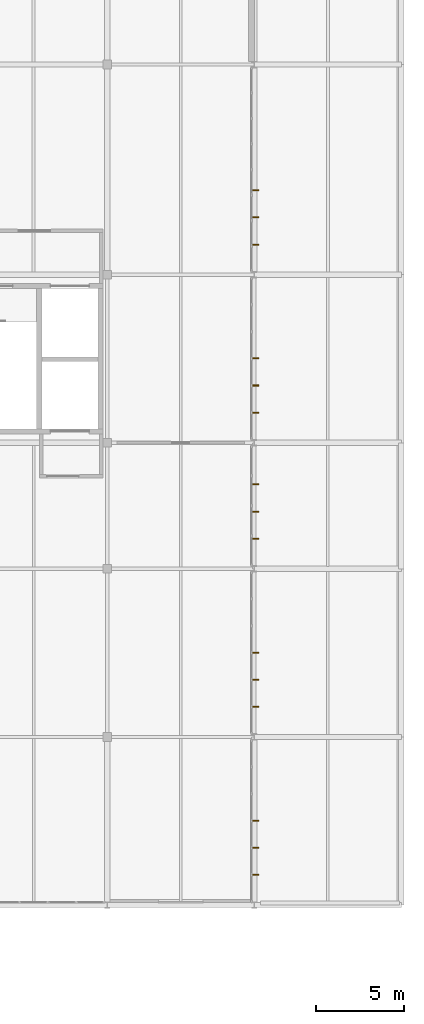
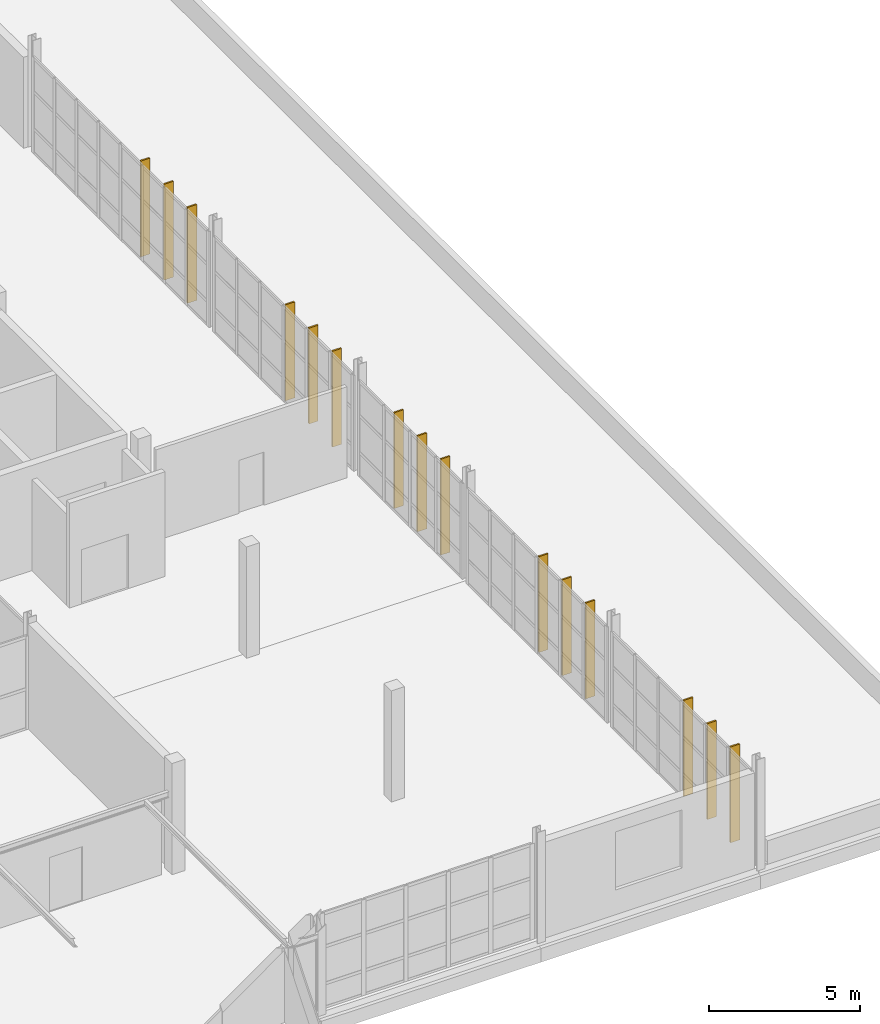
# One storey, part 102 of 103: 15 shading devices.
"""IFC4 building model written with IfcOpenShell, lengths in metres."""

from ifc_helpers import new_model, si_unit, direction, frame, origin, origin_2d, place, context, subcontext, project, spatial, rectangle, extrude, material, type_object, element, save


model = new_model("IFC4")

# Units and contexts
model_context = context("Model", 3, precision=1e-05, world=origin(), true_north=direction((0.0, 1.0)))
body_context = subcontext(model_context, "Body", "Model", "MODEL_VIEW")
ifc_project = project(units=[si_unit("LENGTHUNIT", "METRE"), si_unit("AREAUNIT", "SQUARE_METRE"), si_unit("VOLUMEUNIT", "CUBIC_METRE"), si_unit("PLANEANGLEUNIT", "RADIAN"), si_unit("MASSUNIT", "GRAM", prefix="KILO")], contexts=[model_context])

# Site, building, storey
site_placement = place(None, origin())
site = spatial("IfcSite", under=ifc_project, at=site_placement, CompositionType="ELEMENT")
building_placement = place(site_placement, origin())
building = spatial("IfcBuilding", under=site, at=building_placement, Name="Veltarok Museum of Natural Sciences", CompositionType="ELEMENT")
storey_placement = place(building_placement, frame((0.0, 0.0, 21.89990234375)))
storey = spatial("IfcBuildingStorey", under=building, at=storey_placement, Name="L04", CompositionType="ELEMENT", Elevation=21.89990234375)

# Shading devices
ifc_material = material(Name="Thermally broken anodised aluminium", Category="aluminium")
shading_device_type = type_object("IfcShadingDeviceType", Name="Vertical Anodised Aluminium Solar Shading Fin 350", PredefinedType="JALOUSIE", material=ifc_material)
for number, where, z_axis, x_axis, name in (
    (1, (149.2900390625, 1.719970703125, 0.000244140625), (0.0, 0.0, 1.0), (1.0, 0.0, 0.0), "Solar Shading Fin L04 67"),
    (2, (149.2900390625, 3.27001953125, 0.000244140625), (0.0, 0.0, 1.0), (1.0, 0.0, 0.0), "Solar Shading Fin L04 68"),
    (3, (149.2900390625, 4.820068359375, 0.000244140625), (0.0, 0.0, 1.0), (1.0, 0.0, 0.0), "Solar Shading Fin L04 69"),
    (4, (149.2900390625, 11.320068359375, 0.000244140625), (0.0, 0.0, 1.0), (1.0, 0.0, 0.0), "Solar Shading Fin L04 70"),
    (5, (149.2900390625, 12.8701171875, 0.000244140625), (0.0, 0.0, 1.0), (1.0, 0.0, 0.0), "Solar Shading Fin L04 71"),
    (6, (149.2900390625, 14.419921875, 0.000244140625), (0.0, 0.0, 1.0), (1.0, 0.0, 0.0), "Solar Shading Fin L04 72"),
    (7, (149.2900390625, 20.919921875, 0.000244140625), (0.0, 0.0, 1.0), (1.0, 0.0, 0.0), "Solar Shading Fin L04 73"),
    (8, (149.2900390625, 22.469970703125, 0.000244140625), (0.0, 0.0, 1.0), (1.0, 0.0, 0.0), "Solar Shading Fin L04 74"),
    (9, (149.2900390625, 24.02001953125, 0.000244140625), (0.0, 0.0, 1.0), (1.0, 0.0, 0.0), "Solar Shading Fin L04 75"),
    (10, (149.2900390625, 28.1201171875, 0.000244140625), (0.0, 0.0, 1.0), (1.0, 0.0, 0.0), "Solar Shading Fin L04 76"),
    (11, (149.2900390625, 29.669921875, 0.000244140625), (0.0, 0.0, 1.0), (1.0, 0.0, 0.0), "Solar Shading Fin L04 77"),
    (12, (149.2900390625, 31.219970703125, 0.000244140625), (0.0, 0.0, 1.0), (1.0, 0.0, 0.0), "Solar Shading Fin L04 78"),
    (13, (149.2900390625, 37.719970703125, 0.000244140625), (0.0, 0.0, 1.0), (1.0, 0.0, 0.0), "Solar Shading Fin L04 79"),
    (14, (149.2900390625, 39.27001953125, 0.000244140625), (0.0, 0.0, 1.0), (1.0, 0.0, 0.0), "Solar Shading Fin L04 80"),
    (15, (149.2900390625, 40.820068359375, 0.000244140625), (0.0, 0.0, 1.0), (1.0, 0.0, 0.0), "Solar Shading Fin L04 81"),
):
    element("IfcShadingDevice", number, at=place(storey_placement, frame(where, z_axis=z_axis, x_axis=x_axis)), inside=storey, type_object=shading_device_type, Name=name, PredefinedType="JALOUSIE", context=body_context, shape_type="SweptSolid", body=[
        extrude(rectangle(XDim=0.35009765625, YDim=0.06005859375, at=origin_2d()), origin(), (0.0, 0.0, 1.0), 3.8798828125),
    ])

save(model, "model.ifc")
